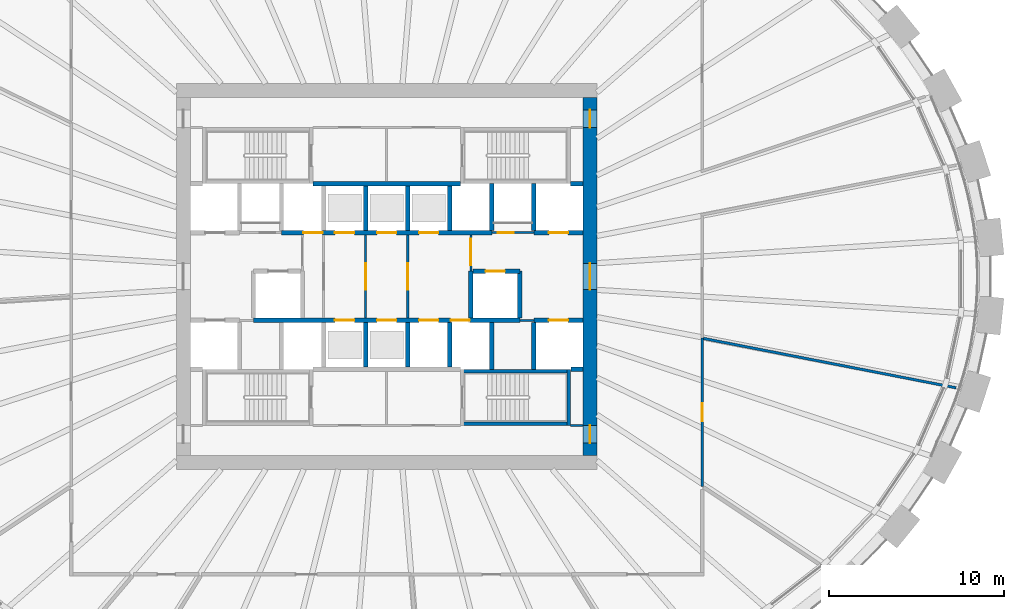
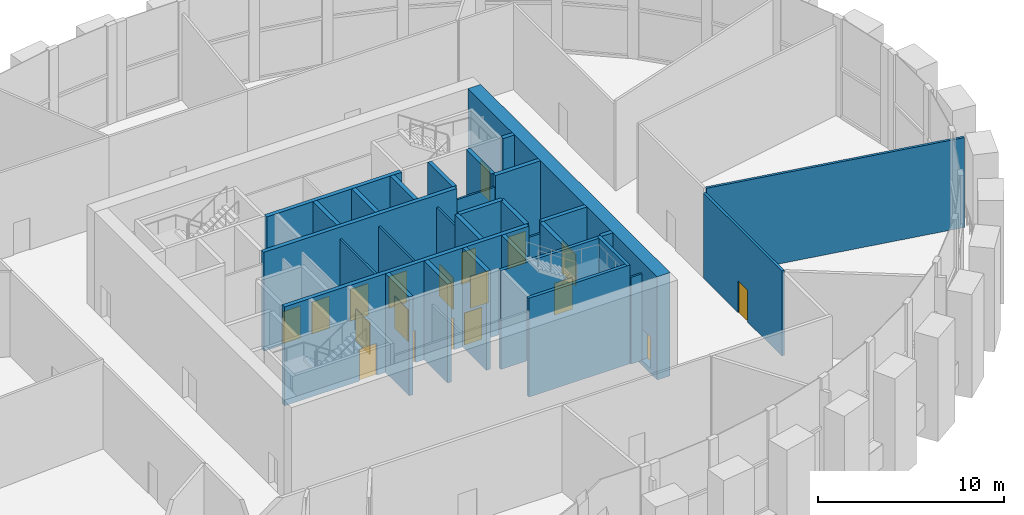
# One storey, part 9 of 16: 32 walls, 19 doors, 19 openings.
"""IFC4 building model written with IfcOpenShell, lengths in metres."""

from ifc_helpers import new_model, si_unit, direction, frame, frame_2d, origin, place, context, subcontext, project, spatial, rectangle, extrude, source, transform, mapped, material, layer, layer_set, type_object, element, fill, save


model = new_model("IFC4")

# Units and contexts
model_context = context("Model", 3, precision=1e-05, world=origin(), true_north=direction((0.0, 1.0)))
body_context = subcontext(model_context, "Body", "Model", "MODEL_VIEW")
ifc_project = project(units=[si_unit("LENGTHUNIT", "METRE"), si_unit("AREAUNIT", "SQUARE_METRE"), si_unit("VOLUMEUNIT", "CUBIC_METRE"), si_unit("PLANEANGLEUNIT", "RADIAN"), si_unit("MASSUNIT", "GRAM", prefix="KILO")], contexts=[model_context])

# Site, building, storey
site_placement = place(None, origin())
site = spatial("IfcSite", under=ifc_project, at=site_placement, CompositionType="ELEMENT")
building_placement = place(site_placement, origin())
building = spatial("IfcBuilding", under=site, at=building_placement, Name="Embergate Tower", CompositionType="ELEMENT")
storey_placement = place(building_placement, frame((0.0, 0.0, 234.60009765625)))
storey = spatial("IfcBuildingStorey", under=building, at=storey_placement, Name="L54", CompositionType="ELEMENT", Elevation=234.60009765625)

# Wall, openings, doors
ifc_material_1 = material(Name="Concrete C70", Category="concrete")
ifc_layer_1 = layer(ifc_material_1, 0.800048828125)
ifc_layer_set_1 = layer_set([ifc_layer_1], Name="Concrete C70")
wall_type_1 = type_object("IfcWallType", Name="Core outer wall C70 800", PredefinedType="SHEAR", material=ifc_layer_set_1)
shared_shape_1 = source(origin(), body_context, "Body", "SweptSolid", [
    extrude(rectangle(XDim=20.39990234375, YDim=0.800048828125, at=frame_2d((10.199951171875, 0.0))), origin(), (0.0, 0.0, 1.0), 6.800048828125),
])
wall_1_placement = place(storey_placement, frame((11.60009765625, -10.199951171875, -0.300048828125), z_axis=(0.0, 0.0, 1.0), x_axis=(0.0, 1.0, 0.0)))
wall_1 = element("IfcWall", 1, at=wall_1_placement, inside=storey, type_object=wall_type_1, Name="CW-L54-E", PredefinedType="SHEAR", context=body_context, shape_type="MappedRepresentation", body=[
    mapped(shared_shape_1, transform((0.0, 0.0, 0.0))),
])
shared_shape_2 = source(origin(), body_context, "Body", "SweptSolid", [
    extrude(rectangle(XDim=1.0, YDim=2.10009765625, at=frame_2d((0.5, 1.050048828125))), frame((0.0, 0.409912109375, 0.0), z_axis=(0.0, -1.0, 0.0), x_axis=(1.0, 0.0, 0.0)), (0.0, 0.0, 1.0), 0.820068359375),
])
opening_1_placement = place(wall_1_placement, frame((18.699951171875, 0.0, 0.300048828125)))
opening_1 = element("IfcOpeningElement", 2, at=opening_1_placement, cuts=wall_1, Name="Opening IF-1d", PredefinedType="OPENING", context=body_context, shape_type="MappedRepresentation", body=[
    mapped(shared_shape_2, transform((0.0, 0.0, 0.0))),
])
opening_2_placement = place(wall_1_placement, frame((0.699951171875, 0.0, 0.300048828125)))
opening_2 = element("IfcOpeningElement", 3, at=opening_2_placement, cuts=wall_1, Name="Opening IF-1d", PredefinedType="OPENING", context=body_context, shape_type="MappedRepresentation", body=[
    mapped(shared_shape_2, transform((0.0, 0.0, 0.0))),
])
shared_shape_3 = source(origin(), body_context, "Body", "SweptSolid", [
    extrude(rectangle(XDim=1.5, YDim=2.10009765625, at=frame_2d((0.75, 1.050048828125))), frame((0.0, 0.409912109375, 0.0), z_axis=(0.0, -1.0, 0.0), x_axis=(1.0, 0.0, 0.0)), (0.0, 0.0, 1.0), 0.820068359375),
])
opening_3_placement = place(wall_1_placement, frame((9.449951171875, 0.0, 0.300048828125)))
opening_3 = element("IfcOpeningElement", 4, at=opening_3_placement, cuts=wall_1, Name="Opening IF-3", PredefinedType="OPENING", context=body_context, shape_type="MappedRepresentation", body=[
    mapped(shared_shape_3, transform((0.0, 0.0, 0.0))),
])
ifc_material_2 = material(Name="Lobby fire door pair 1500")
door_type_1 = type_object("IfcDoorType", Name="Lobby fire door pair 1500", OperationType="DOUBLE_DOOR_SINGLE_SWING", PredefinedType="DOOR", material=ifc_material_2)
shared_shape_4 = source(origin(), body_context, "Body", "SweptSolid", [
    extrude(rectangle(XDim=1.5, YDim=2.10009765625, at=frame_2d((0.75, 1.050048828125))), frame((0.0, 0.02490234375, 0.0), z_axis=(0.0, -1.0, 0.0), x_axis=(1.0, 0.0, 0.0)), (0.0, 0.0, 1.0), 0.050048828125),
])
door_1_placement = place(opening_3_placement, origin())
door_1 = element("IfcDoor", 5, at=door_1_placement, inside=storey, type_object=door_type_1, Name="IF-3 door", OperationType="DOUBLE_DOOR_SINGLE_SWING", OverallHeight=2.10009765625, OverallWidth=1.5, PredefinedType="DOOR", context=body_context, shape_type="MappedRepresentation", body=[
    mapped(shared_shape_4, transform((0.0, 0.0, 0.0))),
])
fill(opening_3, door_1)
ifc_material_3 = material(Name="Escape fire door 1000")
door_type_2 = type_object("IfcDoorType", Name="Escape fire door 1000", OperationType="SINGLE_SWING_LEFT", PredefinedType="DOOR", material=ifc_material_3)
shared_shape_5 = source(origin(), body_context, "Body", "SweptSolid", [
    extrude(rectangle(XDim=1.0, YDim=2.10009765625, at=frame_2d((0.5, 1.050048828125))), frame((0.0, 0.02490234375, 0.0), z_axis=(0.0, -1.0, 0.0), x_axis=(1.0, 0.0, 0.0)), (0.0, 0.0, 1.0), 0.050048828125),
])
door_2_placement = place(opening_1_placement, origin())
door_2 = element("IfcDoor", 6, at=door_2_placement, inside=storey, type_object=door_type_2, Name="IF-1 door", OperationType="SINGLE_SWING_RIGHT", OverallHeight=2.10009765625, OverallWidth=1.0, PredefinedType="DOOR", context=body_context, shape_type="MappedRepresentation", body=[
    mapped(shared_shape_5, transform((0.0, 0.0, 0.0))),
])
fill(opening_1, door_2)
door_3_placement = place(opening_2_placement, origin())
door_3 = element("IfcDoor", 7, at=door_3_placement, inside=storey, type_object=door_type_2, Name="IF-1 door", OperationType="SINGLE_SWING_RIGHT", OverallHeight=2.10009765625, OverallWidth=1.0, PredefinedType="DOOR", context=body_context, shape_type="MappedRepresentation", body=[
    mapped(shared_shape_5, transform((0.0, 0.0, 0.0))),
])
fill(opening_2, door_3)

# Walls
ifc_material_4 = material(Name="Concrete C50", Category="concrete")
ifc_layer_2 = layer(ifc_material_4, 0.25)
ifc_layer_set_2 = layer_set([ifc_layer_2], Name="Concrete C50")
wall_type_2 = type_object("IfcWallType", Name="Hoistway wall reinforced concrete 250", PredefinedType="SHEAR", material=ifc_layer_set_2)
shared_shape_6 = source(origin(), body_context, "Body", "SweptSolid", [
    extrude(rectangle(XDim=2.675048828125, YDim=0.25, at=frame_2d((1.33740234375, 0.0))), origin(), (0.0, 0.0, 1.0), 6.5),
])
for number, where, z_axis, x_axis, name in (
    (8, (6.0, 2.625, 0.0), (0.0, 0.0, 1.0), (0.0, 1.0, 0.0), "HW-1 wall"),
    (9, (8.39990234375, 2.625, 0.0), (0.0, 0.0, 1.0), (0.0, 1.0, 0.0), "HW-1 wall"),
    (10, (4.800048828125, -2.375, 0.0), (0.0, 0.0, 1.0), (0.0, 1.0, 0.0), "HW-1 wall"),
):
    element("IfcWall", number, at=place(storey_placement, frame(where, z_axis=z_axis, x_axis=x_axis)), inside=storey, type_object=wall_type_2, Name=name, PredefinedType="SHEAR", context=body_context, shape_type="MappedRepresentation", body=[
        mapped(shared_shape_6, transform((0.0, 0.0, 0.0))),
    ])

# Wall, opening, door
wall_2_placement = place(storey_placement, frame((7.60009765625, 0.300048828125, 0.0), z_axis=(0.0, 0.0, 1.0), x_axis=(-1.0, 0.0, 0.0)))
wall_2 = element("IfcWall", 11, at=wall_2_placement, inside=storey, type_object=wall_type_2, Name="HW-1 wall", PredefinedType="SHEAR", context=body_context, shape_type="MappedRepresentation", body=[
    mapped(shared_shape_6, transform((0.0, 0.0, 0.0))),
])
shared_shape_7 = source(origin(), body_context, "Body", "SweptSolid", [
    extrude(rectangle(XDim=1.10009765625, YDim=2.10009765625, at=frame_2d((0.550048828125, 1.050048828125))), frame((0.0, 0.135009765625, 0.0), z_axis=(0.0, -1.0, 0.0), x_axis=(1.0, 0.0, 0.0)), (0.0, 0.0, 1.0), 0.27001953125),
])
opening_4_placement = place(wall_2_placement, frame((0.85009765625, 0.0, 0.0)))
opening_4 = element("IfcOpeningElement", 12, at=opening_4_placement, cuts=wall_2, Name="Opening LD", PredefinedType="OPENING", context=body_context, shape_type="MappedRepresentation", body=[
    mapped(shared_shape_7, transform((0.0, 0.0, 0.0))),
])
ifc_material_5 = material(Name="Landing door sliding 1100")
door_type_3 = type_object("IfcDoorType", Name="Landing door sliding 1100", OperationType="SLIDING_TO_LEFT", PredefinedType="DOOR", material=ifc_material_5)
shared_shape_8 = source(origin(), body_context, "Body", "SweptSolid", [
    extrude(rectangle(XDim=1.10009765625, YDim=2.10009765625, at=frame_2d((0.550048828125, 1.050048828125))), frame((0.0, 0.02490234375, 0.0), z_axis=(0.0, -1.0, 0.0), x_axis=(1.0, 0.0, 0.0)), (0.0, 0.0, 1.0), 0.050048828125),
])
door_4_placement = place(opening_4_placement, origin())
door_4 = element("IfcDoor", 13, at=door_4_placement, inside=storey, type_object=door_type_3, Name="LD door", OperationType="SLIDING_TO_LEFT", OverallHeight=2.10009765625, OverallWidth=1.10009765625, PredefinedType="DOOR", context=body_context, shape_type="MappedRepresentation", body=[
    mapped(shared_shape_8, transform((0.0, 0.0, 0.0))),
])
fill(opening_4, door_4)

# Walls
wall_3_placement = place(storey_placement, frame((7.60009765625, -2.375, 0.0), z_axis=(0.0, 0.0, 1.0), x_axis=(0.0, 1.0, 0.0)))
element("IfcWall", 14, at=wall_3_placement, inside=storey, type_object=wall_type_2, Name="HW-1 wall", PredefinedType="SHEAR", context=body_context, shape_type="MappedRepresentation", body=[
    mapped(shared_shape_6, transform((0.0, 0.0, 0.0))),
])
ifc_layer_3 = layer(ifc_material_4, 0.199951171875)
ifc_layer_set_3 = layer_set([ifc_layer_3], Name="Concrete C50")
wall_type_3 = type_object("IfcWallType", Name="Stair enclosure wall reinforced concrete 250", PredefinedType="SHEAR", material=ifc_layer_set_3)
shared_shape_9 = source(origin(), body_context, "Body", "SweptSolid", [
    extrude(rectangle(XDim=6.300048828125, YDim=0.199951171875, at=frame_2d((3.14990234375, 0.0))), origin(), (0.0, 0.0, 1.0), 6.5),
])
for number, where, z_axis, x_axis, name in (
    (15, (4.199951171875, -5.39990234375, 0.0), (0.0, 0.0, 1.0), (1.0, 0.0, 0.0), "SE-1 wall"),
    (16, (4.199951171875, -8.39990234375, 0.0), (0.0, 0.0, 1.0), (1.0, 0.0, 0.0), "SE-1 wall"),
):
    element("IfcWall", number, at=place(storey_placement, frame(where, z_axis=z_axis, x_axis=x_axis)), inside=storey, type_object=wall_type_3, Name=name, PredefinedType="SHEAR", context=body_context, shape_type="MappedRepresentation", body=[
        mapped(shared_shape_9, transform((0.0, 0.0, 0.0))),
    ])

# Wall, opening, door
ifc_material_6 = material(Name="Core partition blockwork 120")
ifc_layer_4 = layer(ifc_material_6, 0.1201171875)
ifc_layer_set_4 = layer_set([ifc_layer_4], Name="Core partition blockwork 120")
wall_type_4 = type_object("IfcWallType", Name="Core partition blockwork 120", PredefinedType="PARTITIONING", material=ifc_layer_set_4)
shared_shape_10 = source(origin(), body_context, "Body", "SweptSolid", [
    extrude(rectangle(XDim=2.39990234375, YDim=0.1201171875, at=frame_2d((1.199951171875, 0.0))), origin(), (0.0, 0.0, 1.0), 5.699951171875),
])
wall_4_placement = place(storey_placement, frame((6.0, 2.5, 0.0), z_axis=(0.0, 0.0, 1.0), x_axis=(1.0, 0.0, 0.0)))
wall_4 = element("IfcWall", 17, at=wall_4_placement, inside=storey, type_object=wall_type_4, Name="IP-3 wall", PredefinedType="PARTITIONING", context=body_context, shape_type="MappedRepresentation", body=[
    mapped(shared_shape_10, transform((0.0, 0.0, 0.0))),
])
shared_shape_11 = source(origin(), body_context, "Body", "SweptSolid", [
    extrude(rectangle(XDim=0.89990234375, YDim=2.10009765625, at=frame_2d((0.449951171875, 1.050048828125))), frame((0.0, 0.070068359375, 0.0), z_axis=(0.0, -1.0, 0.0), x_axis=(1.0, 0.0, 0.0)), (0.0, 0.0, 1.0), 0.14013671875),
])
opening_5_placement = place(wall_4_placement, frame((0.35009765625, 0.0, 0.0)))
opening_5 = element("IfcOpeningElement", 18, at=opening_5_placement, cuts=wall_4, Name="Opening ID-1", PredefinedType="OPENING", context=body_context, shape_type="MappedRepresentation", body=[
    mapped(shared_shape_11, transform((0.0, 0.0, 0.0))),
])
ifc_material_7 = material(Name="Interior door 900")
door_type_4 = type_object("IfcDoorType", Name="Interior door 900", OperationType="SINGLE_SWING_LEFT", PredefinedType="DOOR", material=ifc_material_7)
shared_shape_12 = source(origin(), body_context, "Body", "SweptSolid", [
    extrude(rectangle(XDim=0.89990234375, YDim=2.10009765625, at=frame_2d((0.449951171875, 1.050048828125))), frame((0.0, 0.02490234375, 0.0), z_axis=(0.0, -1.0, 0.0), x_axis=(1.0, 0.0, 0.0)), (0.0, 0.0, 1.0), 0.050048828125),
])
door_5_placement = place(opening_5_placement, origin())
door_5 = element("IfcDoor", 19, at=door_5_placement, inside=storey, type_object=door_type_4, Name="ID-1 door", OperationType="SINGLE_SWING_LEFT", OverallHeight=2.10009765625, OverallWidth=0.89990234375, PredefinedType="DOOR", context=body_context, shape_type="MappedRepresentation", body=[
    mapped(shared_shape_12, transform((0.0, 0.0, 0.0))),
])
fill(opening_5, door_5)

# Walls
shared_shape_13 = source(origin(), body_context, "Body", "SweptSolid", [
    extrude(rectangle(XDim=2.550048828125, YDim=0.25, at=frame_2d((1.27490234375, 0.0))), origin(), (0.0, 0.0, 1.0), 6.5),
])
for number, where, z_axis, x_axis, name in (
    (20, (-1.199951171875, 2.625, 0.0), (0.0, 0.0, 1.0), (0.0, 1.0, 0.0), "HW-1 wall"),
    (21, (1.199951171875, 2.625, 0.0), (0.0, 0.0, 1.0), (0.0, 1.0, 0.0), "HW-1 wall"),
    (22, (3.60009765625, 2.625, 0.0), (0.0, 0.0, 1.0), (0.0, 1.0, 0.0), "HW-1 wall"),
    (23, (-1.199951171875, -5.175048828125, 0.0), (0.0, 0.0, 1.0), (0.0, 1.0, 0.0), "HW-1 wall"),
    (24, (1.199951171875, -5.175048828125, 0.0), (0.0, 0.0, 1.0), (0.0, 1.0, 0.0), "HW-1 wall"),
    (25, (3.60009765625, -5.175048828125, 0.0), (0.0, 0.0, 1.0), (0.0, 1.0, 0.0), "HW-1 wall"),
):
    element("IfcWall", number, at=place(storey_placement, frame(where, z_axis=z_axis, x_axis=x_axis)), inside=storey, type_object=wall_type_2, Name=name, PredefinedType="SHEAR", context=body_context, shape_type="MappedRepresentation", body=[
        mapped(shared_shape_13, transform((0.0, 0.0, 0.0))),
    ])

# Wall, openings, doors
shared_shape_14 = source(origin(), body_context, "Body", "SweptSolid", [
    extrude(rectangle(XDim=12.0, YDim=0.25, at=frame_2d((6.0, 0.0))), origin(), (0.0, 0.0, 1.0), 6.5),
])
wall_5_placement = place(storey_placement, frame((-6.0, 2.5, 0.0), z_axis=(0.0, 0.0, 1.0), x_axis=(1.0, 0.0, 0.0)))
wall_5 = element("IfcWall", 26, at=wall_5_placement, inside=storey, type_object=wall_type_2, Name="HW-1 wall", PredefinedType="SHEAR", context=body_context, shape_type="MappedRepresentation", body=[
    mapped(shared_shape_14, transform((0.0, 0.0, 0.0))),
])
opening_6_placement = place(wall_5_placement, frame((1.25, 0.0, 0.0)))
opening_6 = element("IfcOpeningElement", 27, at=opening_6_placement, cuts=wall_5, Name="Opening LD", PredefinedType="OPENING", context=body_context, shape_type="MappedRepresentation", body=[
    mapped(shared_shape_7, transform((0.0, 0.0, 0.0))),
])
opening_7_placement = place(wall_5_placement, frame((3.050048828125, 0.0, 0.0)))
opening_7 = element("IfcOpeningElement", 28, at=opening_7_placement, cuts=wall_5, Name="Opening LD", PredefinedType="OPENING", context=body_context, shape_type="MappedRepresentation", body=[
    mapped(shared_shape_7, transform((0.0, 0.0, 0.0))),
])
opening_8_placement = place(wall_5_placement, frame((5.449951171875, 0.0, 0.0)))
opening_8 = element("IfcOpeningElement", 29, at=opening_8_placement, cuts=wall_5, Name="Opening LD", PredefinedType="OPENING", context=body_context, shape_type="MappedRepresentation", body=[
    mapped(shared_shape_7, transform((0.0, 0.0, 0.0))),
])
opening_9_placement = place(wall_5_placement, frame((7.85009765625, 0.0, 0.0)))
opening_9 = element("IfcOpeningElement", 30, at=opening_9_placement, cuts=wall_5, Name="Opening LD", PredefinedType="OPENING", context=body_context, shape_type="MappedRepresentation", body=[
    mapped(shared_shape_7, transform((0.0, 0.0, 0.0))),
])
door_6_placement = place(opening_6_placement, origin())
door_6 = element("IfcDoor", 31, at=door_6_placement, inside=storey, type_object=door_type_3, Name="LD door", OperationType="SLIDING_TO_LEFT", OverallHeight=2.10009765625, OverallWidth=1.10009765625, PredefinedType="DOOR", context=body_context, shape_type="MappedRepresentation", body=[
    mapped(shared_shape_8, transform((0.0, 0.0, 0.0))),
])
fill(opening_6, door_6)
door_7_placement = place(opening_7_placement, origin())
door_7 = element("IfcDoor", 32, at=door_7_placement, inside=storey, type_object=door_type_3, Name="LD door", OperationType="SLIDING_TO_RIGHT", OverallHeight=2.10009765625, OverallWidth=1.10009765625, PredefinedType="DOOR", context=body_context, shape_type="MappedRepresentation", body=[
    mapped(shared_shape_8, transform((0.0, 0.0, 0.0))),
])
fill(opening_7, door_7)
door_8_placement = place(opening_8_placement, origin())
door_8 = element("IfcDoor", 33, at=door_8_placement, inside=storey, type_object=door_type_3, Name="LD door", OperationType="SLIDING_TO_RIGHT", OverallHeight=2.10009765625, OverallWidth=1.10009765625, PredefinedType="DOOR", context=body_context, shape_type="MappedRepresentation", body=[
    mapped(shared_shape_8, transform((0.0, 0.0, 0.0))),
])
fill(opening_8, door_8)
door_9_placement = place(opening_9_placement, origin())
door_9 = element("IfcDoor", 34, at=door_9_placement, inside=storey, type_object=door_type_3, Name="LD door", OperationType="SLIDING_TO_RIGHT", OverallHeight=2.10009765625, OverallWidth=1.10009765625, PredefinedType="DOOR", context=body_context, shape_type="MappedRepresentation", body=[
    mapped(shared_shape_8, transform((0.0, 0.0, 0.0))),
])
fill(opening_9, door_9)

# Wall
shared_shape_15 = source(origin(), body_context, "Body", "SweptSolid", [
    extrude(rectangle(XDim=8.39990234375, YDim=0.25, at=frame_2d((4.199951171875, 0.0))), origin(), (0.0, 0.0, 1.0), 6.5),
])
wall_6_placement = place(storey_placement, frame((4.199951171875, 5.300048828125, 0.0), z_axis=(0.0, 0.0, 1.0), x_axis=(-1.0, 0.0, 0.0)))
element("IfcWall", 35, at=wall_6_placement, inside=storey, type_object=wall_type_2, Name="HW-1 wall", PredefinedType="SHEAR", context=body_context, shape_type="MappedRepresentation", body=[
    mapped(shared_shape_15, transform((0.0, 0.0, 0.0))),
])

# Wall, openings, doors
shared_shape_16 = source(origin(), body_context, "Body", "SweptSolid", [
    extrude(rectangle(XDim=15.19580078125, YDim=0.25, at=frame_2d((7.597900390625, 0.0))), origin(), (0.0, 0.0, 1.0), 6.5),
])
wall_7_placement = place(storey_placement, frame((7.597900390625, -2.5, 0.0), z_axis=(0.0, 0.0, 1.0), x_axis=(-1.0, 0.0, 0.0)))
wall_7 = element("IfcWall", 36, at=wall_7_placement, inside=storey, type_object=wall_type_2, Name="HW-1 wall", PredefinedType="SHEAR", context=body_context, shape_type="MappedRepresentation", body=[
    mapped(shared_shape_16, transform((0.0, 0.0, 0.0))),
])
opening_10_placement = place(wall_7_placement, frame((9.447998046875, 0.0, 0.0)))
opening_10 = element("IfcOpeningElement", 37, at=opening_10_placement, cuts=wall_7, Name="Opening LD", PredefinedType="OPENING", context=body_context, shape_type="MappedRepresentation", body=[
    mapped(shared_shape_7, transform((0.0, 0.0, 0.0))),
])
opening_11_placement = place(wall_7_placement, frame((7.048095703125, 0.0, 0.0)))
opening_11 = element("IfcOpeningElement", 38, at=opening_11_placement, cuts=wall_7, Name="Opening LD", PredefinedType="OPENING", context=body_context, shape_type="MappedRepresentation", body=[
    mapped(shared_shape_7, transform((0.0, 0.0, 0.0))),
])
opening_12_placement = place(wall_7_placement, frame((4.64794921875, 0.0, 0.0)))
opening_12 = element("IfcOpeningElement", 39, at=opening_12_placement, cuts=wall_7, Name="Opening LD", PredefinedType="OPENING", context=body_context, shape_type="MappedRepresentation", body=[
    mapped(shared_shape_7, transform((0.0, 0.0, 0.0))),
])
opening_13_placement = place(wall_7_placement, frame((2.847900390625, 0.0, 0.0)))
opening_13 = element("IfcOpeningElement", 40, at=opening_13_placement, cuts=wall_7, Name="Opening LD", PredefinedType="OPENING", context=body_context, shape_type="MappedRepresentation", body=[
    mapped(shared_shape_7, transform((0.0, 0.0, 0.0))),
])
door_10_placement = place(opening_10_placement, origin())
door_10 = element("IfcDoor", 41, at=door_10_placement, inside=storey, type_object=door_type_3, Name="LD door", OperationType="SLIDING_TO_LEFT", OverallHeight=2.10009765625, OverallWidth=1.10009765625, PredefinedType="DOOR", context=body_context, shape_type="MappedRepresentation", body=[
    mapped(shared_shape_8, transform((0.0, 0.0, 0.0))),
])
fill(opening_10, door_10)
door_11_placement = place(opening_11_placement, origin())
door_11 = element("IfcDoor", 42, at=door_11_placement, inside=storey, type_object=door_type_3, Name="LD door", OperationType="SLIDING_TO_RIGHT", OverallHeight=2.10009765625, OverallWidth=1.10009765625, PredefinedType="DOOR", context=body_context, shape_type="MappedRepresentation", body=[
    mapped(shared_shape_8, transform((0.0, 0.0, 0.0))),
])
fill(opening_11, door_11)
door_12_placement = place(opening_12_placement, origin())
door_12 = element("IfcDoor", 43, at=door_12_placement, inside=storey, type_object=door_type_3, Name="LD door", OperationType="SLIDING_TO_RIGHT", OverallHeight=2.10009765625, OverallWidth=1.10009765625, PredefinedType="DOOR", context=body_context, shape_type="MappedRepresentation", body=[
    mapped(shared_shape_8, transform((0.0, 0.0, 0.0))),
])
fill(opening_12, door_12)
door_13_placement = place(opening_13_placement, origin())
door_13 = element("IfcDoor", 44, at=door_13_placement, inside=storey, type_object=door_type_3, Name="LD door", OperationType="SLIDING_TO_RIGHT", OverallHeight=2.10009765625, OverallWidth=1.10009765625, PredefinedType="DOOR", context=body_context, shape_type="MappedRepresentation", body=[
    mapped(shared_shape_8, transform((0.0, 0.0, 0.0))),
])
fill(opening_13, door_13)

# Wall, opening, door
shared_shape_17 = source(origin(), body_context, "Body", "SweptSolid", [
    extrude(rectangle(XDim=4.75, YDim=0.1201171875, at=frame_2d((2.375, 0.0))), origin(), (0.0, 0.0, 1.0), 5.699951171875),
])
wall_8_placement = place(storey_placement, frame((-1.199951171875, -2.375, 0.0), z_axis=(0.0, 0.0, 1.0), x_axis=(0.0, 1.0, 0.0)))
wall_8 = element("IfcWall", 45, at=wall_8_placement, inside=storey, type_object=wall_type_4, Name="IP-3 wall", PredefinedType="PARTITIONING", context=body_context, shape_type="MappedRepresentation", body=[
    mapped(shared_shape_17, transform((0.0, 0.0, 0.0))),
])
shared_shape_18 = source(origin(), body_context, "Body", "SweptSolid", [
    extrude(rectangle(XDim=1.5, YDim=2.10009765625, at=frame_2d((0.75, 1.050048828125))), frame((0.0, 0.070068359375, 0.0), z_axis=(0.0, -1.0, 0.0), x_axis=(1.0, 0.0, 0.0)), (0.0, 0.0, 1.0), 0.14013671875),
])
opening_14_placement = place(wall_8_placement, frame((1.625, 0.0, 0.0)))
opening_14 = element("IfcOpeningElement", 46, at=opening_14_placement, cuts=wall_8, Name="Opening IF-3", PredefinedType="OPENING", context=body_context, shape_type="MappedRepresentation", body=[
    mapped(shared_shape_18, transform((0.0, 0.0, 0.0))),
])
door_14_placement = place(opening_14_placement, origin())
door_14 = element("IfcDoor", 47, at=door_14_placement, inside=storey, type_object=door_type_1, Name="IF-3 door", OperationType="DOUBLE_DOOR_SINGLE_SWING", OverallHeight=2.10009765625, OverallWidth=1.5, PredefinedType="DOOR", context=body_context, shape_type="MappedRepresentation", body=[
    mapped(shared_shape_4, transform((0.0, 0.0, 0.0))),
])
fill(opening_14, door_14)

wall_9_placement = place(storey_placement, frame((1.199951171875, -2.375, 0.0), z_axis=(0.0, 0.0, 1.0), x_axis=(0.0, 1.0, 0.0)))
wall_9 = element("IfcWall", 48, at=wall_9_placement, inside=storey, type_object=wall_type_4, Name="IP-3 wall", PredefinedType="PARTITIONING", context=body_context, shape_type="MappedRepresentation", body=[
    mapped(shared_shape_17, transform((0.0, 0.0, 0.0))),
])
opening_15_placement = place(wall_9_placement, frame((1.625, 0.0, 0.0)))
opening_15 = element("IfcOpeningElement", 49, at=opening_15_placement, cuts=wall_9, Name="Opening IF-3", PredefinedType="OPENING", context=body_context, shape_type="MappedRepresentation", body=[
    mapped(shared_shape_18, transform((0.0, 0.0, 0.0))),
])
door_15_placement = place(opening_15_placement, origin())
door_15 = element("IfcDoor", 50, at=door_15_placement, inside=storey, type_object=door_type_1, Name="IF-3 door", OperationType="DOUBLE_DOOR_SINGLE_SWING", OverallHeight=2.10009765625, OverallWidth=1.5, PredefinedType="DOOR", context=body_context, shape_type="MappedRepresentation", body=[
    mapped(shared_shape_4, transform((0.0, 0.0, 0.0))),
])
fill(opening_15, door_15)

shared_shape_19 = source(origin(), body_context, "Body", "SweptSolid", [
    extrude(rectangle(XDim=2.074951171875, YDim=0.1201171875, at=frame_2d((1.03759765625, 0.0))), origin(), (0.0, 0.0, 1.0), 5.699951171875),
])
wall_10_placement = place(storey_placement, frame((4.800048828125, 0.300048828125, 0.0), z_axis=(0.0, 0.0, 1.0), x_axis=(0.0, 1.0, 0.0)))
wall_10 = element("IfcWall", 51, at=wall_10_placement, inside=storey, type_object=wall_type_4, Name="IP-3 wall", PredefinedType="PARTITIONING", context=body_context, shape_type="MappedRepresentation", body=[
    mapped(shared_shape_19, transform((0.0, 0.0, 0.0))),
])
opening_16_placement = place(wall_10_placement, frame((0.35009765625, 0.0, 0.0)))
opening_16 = element("IfcOpeningElement", 52, at=opening_16_placement, cuts=wall_10, Name="Opening IF-3", PredefinedType="OPENING", context=body_context, shape_type="MappedRepresentation", body=[
    mapped(shared_shape_18, transform((0.0, 0.0, 0.0))),
])
door_16_placement = place(opening_16_placement, origin())
door_16 = element("IfcDoor", 53, at=door_16_placement, inside=storey, type_object=door_type_1, Name="IF-3 door", OperationType="DOUBLE_DOOR_SINGLE_SWING", OverallHeight=2.10009765625, OverallWidth=1.5, PredefinedType="DOOR", context=body_context, shape_type="MappedRepresentation", body=[
    mapped(shared_shape_4, transform((0.0, 0.0, 0.0))),
])
fill(opening_16, door_16)

# Walls
shared_shape_20 = source(origin(), body_context, "Body", "SweptSolid", [
    extrude(rectangle(XDim=2.671142578125, YDim=0.25, at=frame_2d((1.33544921875, 0.0))), origin(), (0.0, 0.0, 1.0), 6.5),
])
for number, where, z_axis, x_axis, name in (
    (54, (6.0, -5.298095703125, 0.0), (0.0, 0.0, 1.0), (0.0, 1.0, 0.0), "HW-1 wall"),
    (55, (8.39990234375, -2.626953125, 0.0), (0.0, 0.0, 1.0), (0.0, -1.0, 0.0), "HW-1 wall"),
):
    element("IfcWall", number, at=place(storey_placement, frame(where, z_axis=z_axis, x_axis=x_axis)), inside=storey, type_object=wall_type_2, Name=name, PredefinedType="SHEAR", context=body_context, shape_type="MappedRepresentation", body=[
        mapped(shared_shape_20, transform((0.0, 0.0, 0.0))),
    ])
shared_shape_21 = source(origin(), body_context, "Body", "SweptSolid", [
    extrude(rectangle(XDim=0.7958984375, YDim=0.1201171875, at=frame_2d((0.39794921875, 0.0))), origin(), (0.0, 0.0, 1.0), 5.699951171875),
])
wall_11_placement = place(storey_placement, frame((7.60205078125, -2.5, 0.0), z_axis=(0.0, 0.0, 1.0), x_axis=(1.0, 0.0, 0.0)))
element("IfcWall", 56, at=wall_11_placement, inside=storey, type_object=wall_type_4, Name="IP-3 wall", PredefinedType="PARTITIONING", context=body_context, shape_type="MappedRepresentation", body=[
    mapped(shared_shape_21, transform((0.0, 0.0, 0.0))),
])

# Wall, opening, door
shared_shape_22 = source(origin(), body_context, "Body", "SweptSolid", [
    extrude(rectangle(XDim=2.800048828125, YDim=0.25, at=frame_2d((1.39990234375, 0.0))), origin(), (0.0, 0.0, 1.0), 6.5),
])
wall_12_placement = place(storey_placement, frame((8.39990234375, 2.5, 0.0), z_axis=(0.0, 0.0, 1.0), x_axis=(1.0, 0.0, 0.0)))
wall_12 = element("IfcWall", 57, at=wall_12_placement, inside=storey, type_object=wall_type_2, Name="HW-1 wall", PredefinedType="SHEAR", context=body_context, shape_type="MappedRepresentation", body=[
    mapped(shared_shape_22, transform((0.0, 0.0, 0.0))),
])
opening_17_placement = place(wall_12_placement, frame((0.85009765625, 0.0, 0.0)))
opening_17 = element("IfcOpeningElement", 58, at=opening_17_placement, cuts=wall_12, Name="Opening LD", PredefinedType="OPENING", context=body_context, shape_type="MappedRepresentation", body=[
    mapped(shared_shape_7, transform((0.0, 0.0, 0.0))),
])
door_17_placement = place(opening_17_placement, origin())
door_17 = element("IfcDoor", 59, at=door_17_placement, inside=storey, type_object=door_type_3, Name="LD door", OperationType="SLIDING_TO_RIGHT", OverallHeight=2.10009765625, OverallWidth=1.10009765625, PredefinedType="DOOR", context=body_context, shape_type="MappedRepresentation", body=[
    mapped(shared_shape_8, transform((0.0, 0.0, 0.0))),
])
fill(opening_17, door_17)

wall_13_placement = place(storey_placement, frame((11.199951171875, -2.5, 0.0), z_axis=(0.0, 0.0, 1.0), x_axis=(-1.0, 0.0, 0.0)))
wall_13 = element("IfcWall", 60, at=wall_13_placement, inside=storey, type_object=wall_type_2, Name="HW-1 wall", PredefinedType="SHEAR", context=body_context, shape_type="MappedRepresentation", body=[
    mapped(shared_shape_22, transform((0.0, 0.0, 0.0))),
])
opening_18_placement = place(wall_13_placement, frame((0.85009765625, 0.0, 0.0)))
opening_18 = element("IfcOpeningElement", 61, at=opening_18_placement, cuts=wall_13, Name="Opening LD", PredefinedType="OPENING", context=body_context, shape_type="MappedRepresentation", body=[
    mapped(shared_shape_7, transform((0.0, 0.0, 0.0))),
])
door_18_placement = place(opening_18_placement, origin())
door_18 = element("IfcDoor", 62, at=door_18_placement, inside=storey, type_object=door_type_3, Name="LD door", OperationType="SLIDING_TO_RIGHT", OverallHeight=2.10009765625, OverallWidth=1.10009765625, PredefinedType="DOOR", context=body_context, shape_type="MappedRepresentation", body=[
    mapped(shared_shape_8, transform((0.0, 0.0, 0.0))),
])
fill(opening_18, door_18)

# Walls
shared_shape_23 = source(origin(), body_context, "Body", "SweptSolid", [
    extrude(rectangle(XDim=3.196044921875, YDim=0.199951171875, at=frame_2d((1.59814453125, 0.0))), origin(), (0.0, 0.0, 1.0), 6.5),
])
wall_14_placement = place(storey_placement, frame((10.39990234375, -8.498046875, 0.0), z_axis=(0.0, 0.0, 1.0), x_axis=(0.0, 1.0, 0.0)))
element("IfcWall", 63, at=wall_14_placement, inside=storey, type_object=wall_type_3, Name="SE-1 wall", PredefinedType="SHEAR", context=body_context, shape_type="MappedRepresentation", body=[
    mapped(shared_shape_23, transform((0.0, 0.0, 0.0))),
])
shared_shape_24 = source(origin(), body_context, "Body", "SweptSolid", [
    extrude(rectangle(XDim=0.697998046875, YDim=0.25, at=frame_2d((0.34912109375, 0.0))), origin(), (0.0, 0.0, 1.0), 6.5),
])
for number, where, z_axis, x_axis, name in (
    (64, (11.199951171875, 5.300048828125, 0.0), (0.0, 0.0, 1.0), (-1.0, 0.0, 0.0), "HW-1 wall"),
    (65, (10.501953125, -5.300048828125, 0.0), (0.0, 0.0, 1.0), (1.0, 0.0, 0.0), "HW-1 wall"),
):
    element("IfcWall", number, at=place(storey_placement, frame(where, z_axis=z_axis, x_axis=x_axis)), inside=storey, type_object=wall_type_2, Name=name, PredefinedType="SHEAR", context=body_context, shape_type="MappedRepresentation", body=[
        mapped(shared_shape_24, transform((0.0, 0.0, 0.0))),
    ])
shared_shape_25 = source(origin(), body_context, "Body", "SweptSolid", [
    extrude(rectangle(XDim=0.697998046875, YDim=0.1201171875, at=frame_2d((0.34912109375, 0.0))), origin(), (0.0, 0.0, 1.0), 5.699951171875),
])
wall_15_placement = place(storey_placement, frame((11.199951171875, -8.5, 0.0), z_axis=(0.0, 0.0, 1.0), x_axis=(-1.0, 0.0, 0.0)))
element("IfcWall", 66, at=wall_15_placement, inside=storey, type_object=wall_type_4, Name="IP-3 wall", PredefinedType="PARTITIONING", context=body_context, shape_type="MappedRepresentation", body=[
    mapped(shared_shape_25, transform((0.0, 0.0, 0.0))),
])

# Wall, opening, door
ifc_material_8 = material(Name="Plasterboard on steel stud", Category="steel")
ifc_layer_5 = layer(ifc_material_8, 0.14990234375)
ifc_layer_set_5 = layer_set([ifc_layer_5], Name="Plasterboard on steel stud")
wall_type_5 = type_object("IfcWallType", Name="Partition wall 150 board", PredefinedType="PARTITIONING", material=ifc_layer_set_5)
shared_shape_26 = source(origin(), body_context, "Body", "SweptSolid", [
    extrude(rectangle(XDim=8.451904296875, YDim=0.14990234375, at=frame_2d((4.22607421875, 0.0))), origin(), (0.0, 0.0, 1.0), 5.599853515625),
])
wall_16_placement = place(storey_placement, frame((18.0, -3.52001953125, 0.0), z_axis=(0.0, 0.0, 1.0), x_axis=(0.0, -1.0, 0.0)))
wall_16 = element("IfcWall", 67, at=wall_16_placement, inside=storey, type_object=wall_type_5, Name="Partition 028", PredefinedType="PARTITIONING", context=body_context, shape_type="MappedRepresentation", body=[
    mapped(shared_shape_26, transform((0.0, 0.0, 0.0))),
])
shared_shape_27 = source(origin(), body_context, "Body", "SweptSolid", [
    extrude(rectangle(XDim=1.0, YDim=2.10009765625, at=frame_2d((0.5, 1.050048828125))), frame((0.0, 0.0849609375, 0.0), z_axis=(0.0, -1.0, 0.0), x_axis=(1.0, 0.0, 0.0)), (0.0, 0.0, 1.0), 0.169921875),
])
opening_19_placement = place(wall_16_placement, frame((3.72607421875, 0.0, 0.0)))
opening_19 = element("IfcOpeningElement", 68, at=opening_19_placement, cuts=wall_16, Name="Opening DS-131", PredefinedType="OPENING", context=body_context, shape_type="MappedRepresentation", body=[
    mapped(shared_shape_27, transform((0.0, 0.0, 0.0))),
])
ifc_material_9 = material(Name="Timber door leaf, steel frame", Category="steel")
door_type_5 = type_object("IfcDoorType", Name="Single door 1000x2100", OperationType="SINGLE_SWING_LEFT", PredefinedType="DOOR", material=ifc_material_9)
shared_shape_28 = source(origin(), body_context, "Body", "SweptSolid", [
    extrude(rectangle(XDim=1.0, YDim=2.10009765625, at=frame_2d((0.5, 1.050048828125))), frame((0.0, 0.02490234375, 0.0), z_axis=(0.0, -1.0, 0.0), x_axis=(1.0, 0.0, 0.0)), (0.0, 0.0, 1.0), 0.050048828125),
])
door_19_placement = place(opening_19_placement, origin())
door_19 = element("IfcDoor", 69, at=door_19_placement, inside=storey, type_object=door_type_5, Name="Door to Staff room", OperationType="SINGLE_SWING_LEFT", OverallHeight=2.10009765625, OverallWidth=1.0, PredefinedType="DOOR", context=body_context, shape_type="MappedRepresentation", body=[
    mapped(shared_shape_28, transform((0.0, 0.0, 0.0))),
])
fill(opening_19, door_19)

# Wall
shared_shape_29 = source(origin(), body_context, "Body", "SweptSolid", [
    extrude(rectangle(XDim=14.688232421875, YDim=0.14990234375, at=frame_2d((7.34423828125, 0.0))), origin(), (0.0, 0.0, 1.0), 5.911865234375),
])
wall_17_placement = place(storey_placement, frame((18.073974609375, -3.533935546875, 0.0), z_axis=(0.0, 0.0, 1.0), x_axis=(0.981408584659, -0.191930169485, 0.0)))
element("IfcWall", 70, at=wall_17_placement, inside=storey, type_object=wall_type_5, Name="Partition 029", PredefinedType="PARTITIONING", context=body_context, shape_type="MappedRepresentation", body=[
    mapped(shared_shape_29, transform((0.0, 0.0, 0.0))),
])

save(model, "model.ifc")
